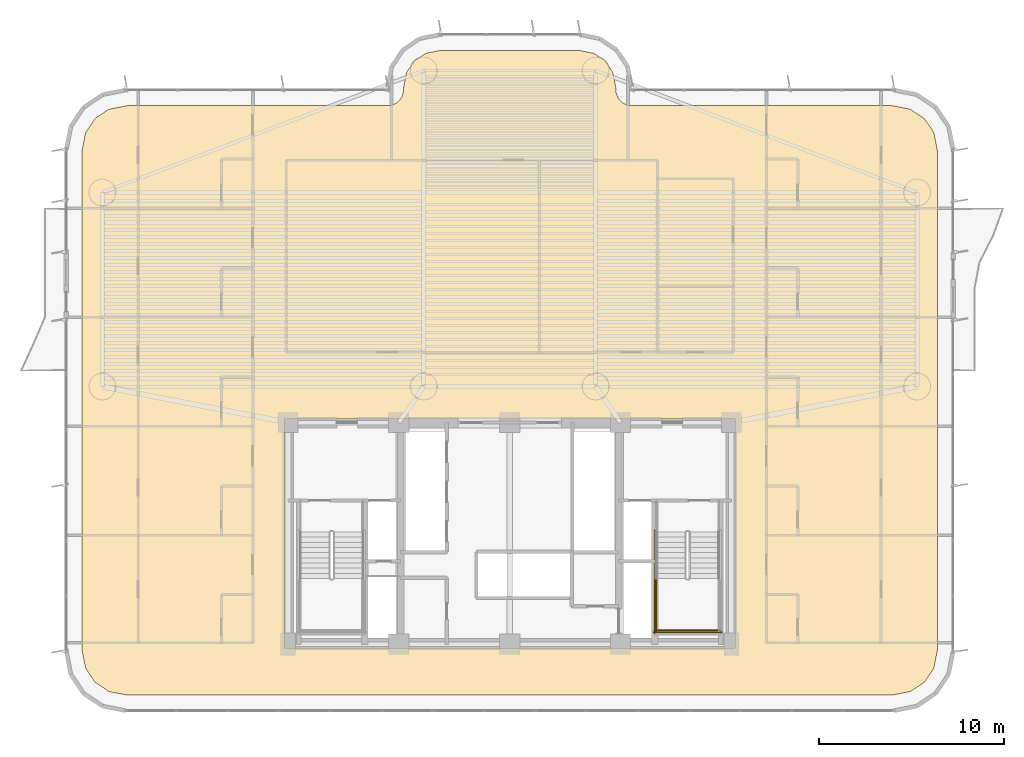
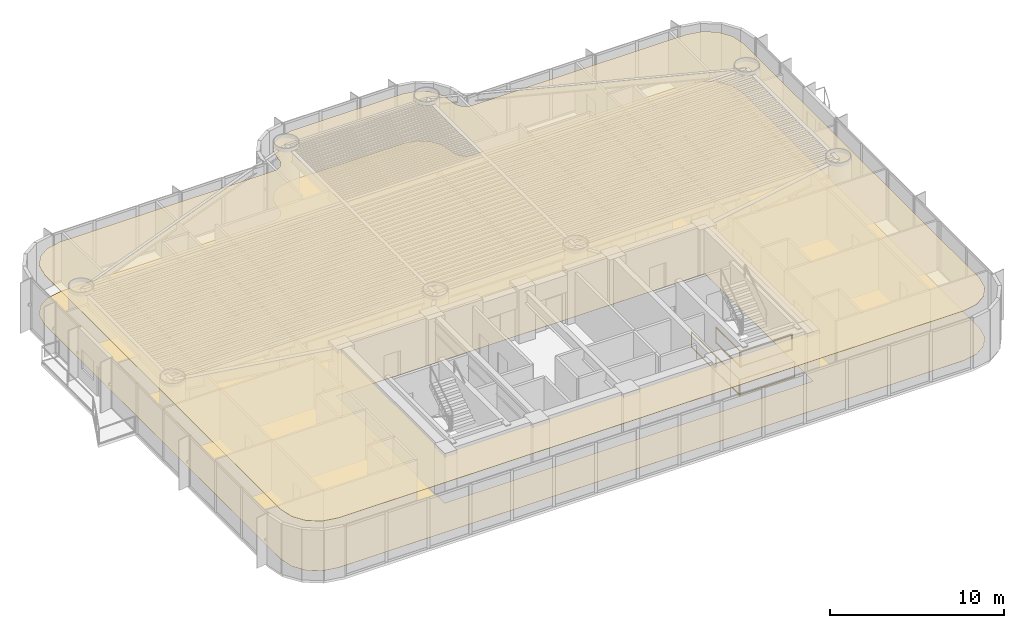
# One storey, part 16 of 18: 4 railings, 2 coverings.
"""IFC4 building model written with IfcOpenShell, lengths in metres."""

from ifc_helpers import new_model, si_unit, direction, frame, origin, origin_2d, place, context, subcontext, project, spatial, polyline, rectangle, outline, extrude, material, layer, layer_set, type_object, element, save


model = new_model("IFC4")

# Units and contexts
model_context = context("Model", 3, precision=1e-05, world=origin(), true_north=direction((0.0, 1.0)))
body_context = subcontext(model_context, "Body", "Model", "MODEL_VIEW")
ifc_project = project(units=[si_unit("LENGTHUNIT", "METRE"), si_unit("AREAUNIT", "SQUARE_METRE"), si_unit("VOLUMEUNIT", "CUBIC_METRE"), si_unit("PLANEANGLEUNIT", "RADIAN"), si_unit("MASSUNIT", "GRAM", prefix="KILO")], contexts=[model_context])

# Site, building, storey
site_placement = place(None, origin())
site = spatial("IfcSite", under=ifc_project, at=site_placement, CompositionType="ELEMENT")
building_placement = place(site_placement, origin())
building = spatial("IfcBuilding", under=site, at=building_placement, Name="Brelvock Crest Care Tower", CompositionType="ELEMENT")
storey_placement = place(building_placement, frame((0.0, 0.0, 38.340087890625)))
storey = spatial("IfcBuildingStorey", under=building, at=storey_placement, Name="L09", CompositionType="ELEMENT", Elevation=38.340087890625)

# Coverings
ifc_material_1 = material(Name="Mineral Fibre Acoustic Ceiling Tile", Category="gypsum")
ifc_layer_1 = layer(ifc_material_1, 0.02490234375, Name="COV-CLG1")
ifc_layer_set_1 = layer_set([ifc_layer_1], Name="Mineral Fibre Acoustic Ceiling Tile")
covering_type_1 = type_object("IfcCoveringType", Name="COV-CLG1", PredefinedType="CEILING", material=ifc_layer_set_1)
covering_1_placement = place(storey_placement, frame((0.0, 0.0, 3.474853515625)))
element("IfcCovering", 1, at=covering_1_placement, inside=storey, type_object=covering_type_1, Name="L09 Acoustic Suspended Ceiling 1", PredefinedType="CEILING", context=body_context, shape_type="SweptSolid", body=[
    extrude(outline(polyline([(56.71630859375, 35.14990234375), (42.5166015625, 35.154052734375), (42.353271484375, 35.1865234375), (42.127685546875, 35.293212890625), (41.893310546875, 35.52783203125), (41.766357421875, 35.834228515625), (41.75, 36.1162109375), (41.586181640625, 36.939697265625), (41.1669921875, 37.567138671875), (40.539794921875, 37.986083984375), (39.71630859375, 38.14990234375), (32.28369140625, 38.14990234375), (31.460205078125, 37.986083984375), (30.8330078125, 37.567138671875), (30.413818359375, 36.939697265625), (30.25, 36.1162109375), (30.233642578125, 35.834228515625), (30.149658203125, 35.599365234375), (30.0009765625, 35.39892578125), (29.872314453125, 35.293212890625), (29.56591796875, 35.166259765625), (15.28369140625, 35.14990234375), (14.30712890625, 34.955810546875), (13.550048828125, 34.449951171875), (13.044189453125, 33.69287109375), (12.85009765625, 32.71630859375), (12.85009765625, 5.68359375), (13.044189453125, 4.70703125), (13.550048828125, 3.9501953125), (14.30712890625, 3.4443359375), (15.28369140625, 3.25), (56.71630859375, 3.25), (57.69287109375, 3.4443359375), (58.449951171875, 3.9501953125), (58.955810546875, 4.70703125), (59.14990234375, 5.68359375), (59.14990234375, 32.71630859375), (58.955810546875, 33.69287109375), (58.449951171875, 34.449951171875), (57.69287109375, 34.955810546875), (56.71630859375, 35.14990234375)]), holes=[polyline([(48.199951171875, 5.800048828125), (48.199951171875, 18.199951171875), (23.800048828125, 18.199951171875), (23.800048828125, 5.800048828125), (48.199951171875, 5.800048828125)])]), origin(), (0.0, 0.0, 1.0), 0.025146484375),
])
ifc_material_2 = material(Name="Slip-Resistant Acoustic Vinyl Flooring", Category="finish")
ifc_layer_2 = layer(ifc_material_2, 0.014892578125, Name="COV-FLR1")
ifc_layer_set_2 = layer_set([ifc_layer_2], Name="Slip-Resistant Acoustic Vinyl Flooring")
covering_type_2 = type_object("IfcCoveringType", Name="COV-FLR1", PredefinedType="FLOORING", material=ifc_layer_set_2)
covering_2_placement = place(storey_placement, origin())
element("IfcCovering", 2, at=covering_2_placement, inside=storey, type_object=covering_type_2, Name="L09 Slip-Resistant Acoustic Flooring 1", PredefinedType="FLOORING", context=body_context, shape_type="SweptSolid", body=[
    extrude(outline(polyline([(56.71630859375, 35.14990234375), (42.5166015625, 35.154052734375), (42.353271484375, 35.1865234375), (42.127685546875, 35.293212890625), (41.893310546875, 35.52783203125), (41.766357421875, 35.834228515625), (41.75, 36.1162109375), (41.586181640625, 36.939697265625), (41.1669921875, 37.567138671875), (40.539794921875, 37.986083984375), (39.71630859375, 38.14990234375), (32.28369140625, 38.14990234375), (31.460205078125, 37.986083984375), (30.8330078125, 37.567138671875), (30.413818359375, 36.939697265625), (30.25, 36.1162109375), (30.233642578125, 35.834228515625), (30.149658203125, 35.599365234375), (30.0009765625, 35.39892578125), (29.872314453125, 35.293212890625), (29.56591796875, 35.166259765625), (15.28369140625, 35.14990234375), (14.30712890625, 34.955810546875), (13.550048828125, 34.449951171875), (13.044189453125, 33.69287109375), (12.85009765625, 32.71630859375), (12.85009765625, 5.68359375), (13.044189453125, 4.70703125), (13.550048828125, 3.9501953125), (14.30712890625, 3.4443359375), (15.28369140625, 3.25), (56.71630859375, 3.25), (57.69287109375, 3.4443359375), (58.449951171875, 3.9501953125), (58.955810546875, 4.70703125), (59.14990234375, 5.68359375), (59.14990234375, 32.71630859375), (58.955810546875, 33.69287109375), (58.449951171875, 34.449951171875), (57.69287109375, 34.955810546875), (56.71630859375, 35.14990234375)]), holes=[polyline([(48.199951171875, 5.800048828125), (48.199951171875, 18.199951171875), (23.800048828125, 18.199951171875), (23.800048828125, 5.800048828125), (48.199951171875, 5.800048828125)])]), origin(), (0.0, 0.0, 1.0), 0.014892578125),
])

# Railings
ifc_material_3 = material(Name="Steel Grade 350", Category="steel")
ifc_layer_3 = layer(ifc_material_3, 0.050048828125, Name="RL-STG1")
ifc_layer_set_3 = layer_set([ifc_layer_3], Name="Steel Grade 350")
railing_type = type_object("IfcRailingType", Name="RL-STG1", PredefinedType="GUARDRAIL", material=ifc_layer_set_3)
railing_1_placement = place(storey_placement, frame((43.93994140625, 9.56005859375, 1.889892578125)))
element("IfcRailing", 3, at=railing_1_placement, inside=storey, type_object=railing_type, Name="L09 ST-2 stair guard 3", PredefinedType="GUARDRAIL", context=body_context, shape_type="SweptSolid", body=[
    extrude(rectangle(XDim=0.048095703125, YDim=0.048095703125, at=origin_2d()), frame((0.0, -0.001953125, 1.11572265625), z_axis=(0.0, -1.0, 0.0), x_axis=(1.0, 0.0, 0.0)), (0.0, 0.0, 1.0), 2.856201171875),
    extrude(rectangle(XDim=0.048095703125, YDim=0.048095703125, at=origin_2d()), frame((0.0, -0.001953125, 0.054931640625), z_axis=(0.0, -1.0, 0.0), x_axis=(1.0, 0.0, 0.0)), (0.0, 0.0, 1.0), 2.856201171875),
    extrude(rectangle(XDim=0.0419921875, YDim=0.0419921875, at=origin_2d()), origin(), (0.0, 0.0, 1.0), 1.08984375),
    extrude(rectangle(XDim=0.0419921875, YDim=0.0419921875, at=origin_2d()), frame((0.0, -2.860107421875, 0.0)), (0.0, 0.0, 1.0), 1.08984375),
])
railing_2_placement = place(storey_placement, frame((43.889892578125, 6.75, 1.889892578125)))
element("IfcRailing", 4, at=railing_2_placement, inside=storey, type_object=railing_type, Name="L09 ST-2 stair guard 5", PredefinedType="GUARDRAIL", context=body_context, shape_type="SweptSolid", body=[
    extrude(rectangle(XDim=0.048095703125, YDim=0.048095703125, at=origin_2d()), frame((0.001953125, 0.0, 1.11572265625), z_axis=(1.0, 0.0, 0.0), x_axis=(0.0, 1.0, 0.0)), (0.0, 0.0, 1.0), 3.476318359375),
    extrude(rectangle(XDim=0.048095703125, YDim=0.048095703125, at=origin_2d()), frame((0.001953125, 0.0, 0.054931640625), z_axis=(1.0, 0.0, 0.0), x_axis=(0.0, 1.0, 0.0)), (0.0, 0.0, 1.0), 3.476318359375),
    extrude(rectangle(XDim=0.0419921875, YDim=0.0419921875, at=origin_2d()), origin(), (0.0, 0.0, 1.0), 1.08984375),
    extrude(rectangle(XDim=0.0419921875, YDim=0.0419921875, at=origin_2d()), frame((3.480224609375, 0.0, 0.0)), (0.0, 0.0, 1.0), 1.08984375),
])
railing_3_placement = place(storey_placement, frame((43.840087890625, 12.179931640625, 0.0)))
element("IfcRailing", 5, at=railing_3_placement, inside=storey, type_object=railing_type, Name="L09 ST-2 stair guard 10", PredefinedType="GUARDRAIL", context=body_context, shape_type="SweptSolid", body=[
    extrude(rectangle(XDim=0.048095703125, YDim=0.048095703125, at=origin_2d()), frame((0.0, -0.001953125, 1.11572265625), z_axis=(0.0, -1.0, 0.0), x_axis=(1.0, 0.0, 0.0)), (0.0, 0.0, 1.0), 5.575927734375),
    extrude(rectangle(XDim=0.048095703125, YDim=0.048095703125, at=origin_2d()), frame((0.0, -0.001953125, 0.054931640625), z_axis=(0.0, -1.0, 0.0), x_axis=(1.0, 0.0, 0.0)), (0.0, 0.0, 1.0), 5.575927734375),
    extrude(rectangle(XDim=0.0419921875, YDim=0.0419921875, at=origin_2d()), origin(), (0.0, 0.0, 1.0), 1.08984375),
    extrude(rectangle(XDim=0.0419921875, YDim=0.0419921875, at=origin_2d()), frame((0.0, -2.7900390625, 0.0)), (0.0, 0.0, 1.0), 1.08984375),
    extrude(rectangle(XDim=0.0419921875, YDim=0.0419921875, at=origin_2d()), frame((0.0, -5.579833984375, 0.0)), (0.0, 0.0, 1.0), 1.08984375),
])
railing_4_placement = place(storey_placement, frame((43.7900390625, 6.64990234375, 0.0)))
element("IfcRailing", 6, at=railing_4_placement, inside=storey, type_object=railing_type, Name="L09 ST-2 stair guard 12", PredefinedType="GUARDRAIL", context=body_context, shape_type="SweptSolid", body=[
    extrude(rectangle(XDim=0.048095703125, YDim=0.048095703125, at=origin_2d()), frame((0.001953125, 0.0, 1.11572265625), z_axis=(1.0, 0.0, 0.0), x_axis=(0.0, 1.0, 0.0)), (0.0, 0.0, 1.0), 3.676025390625),
    extrude(rectangle(XDim=0.048095703125, YDim=0.048095703125, at=origin_2d()), frame((0.001953125, 0.0, 0.054931640625), z_axis=(1.0, 0.0, 0.0), x_axis=(0.0, 1.0, 0.0)), (0.0, 0.0, 1.0), 3.676025390625),
    extrude(rectangle(XDim=0.0419921875, YDim=0.0419921875, at=origin_2d()), origin(), (0.0, 0.0, 1.0), 1.08984375),
    extrude(rectangle(XDim=0.0419921875, YDim=0.0419921875, at=origin_2d()), frame((3.679931640625, 0.0, 0.0)), (0.0, 0.0, 1.0), 1.08984375),
])

save(model, "model.ifc")
